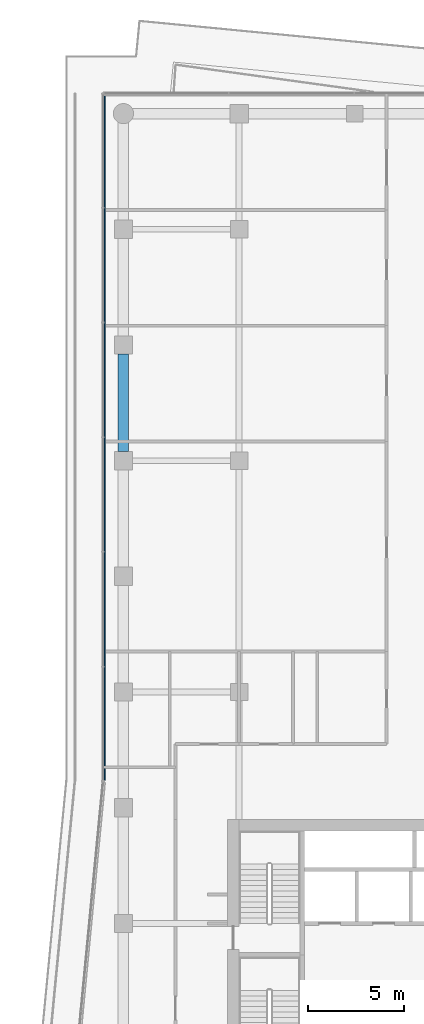
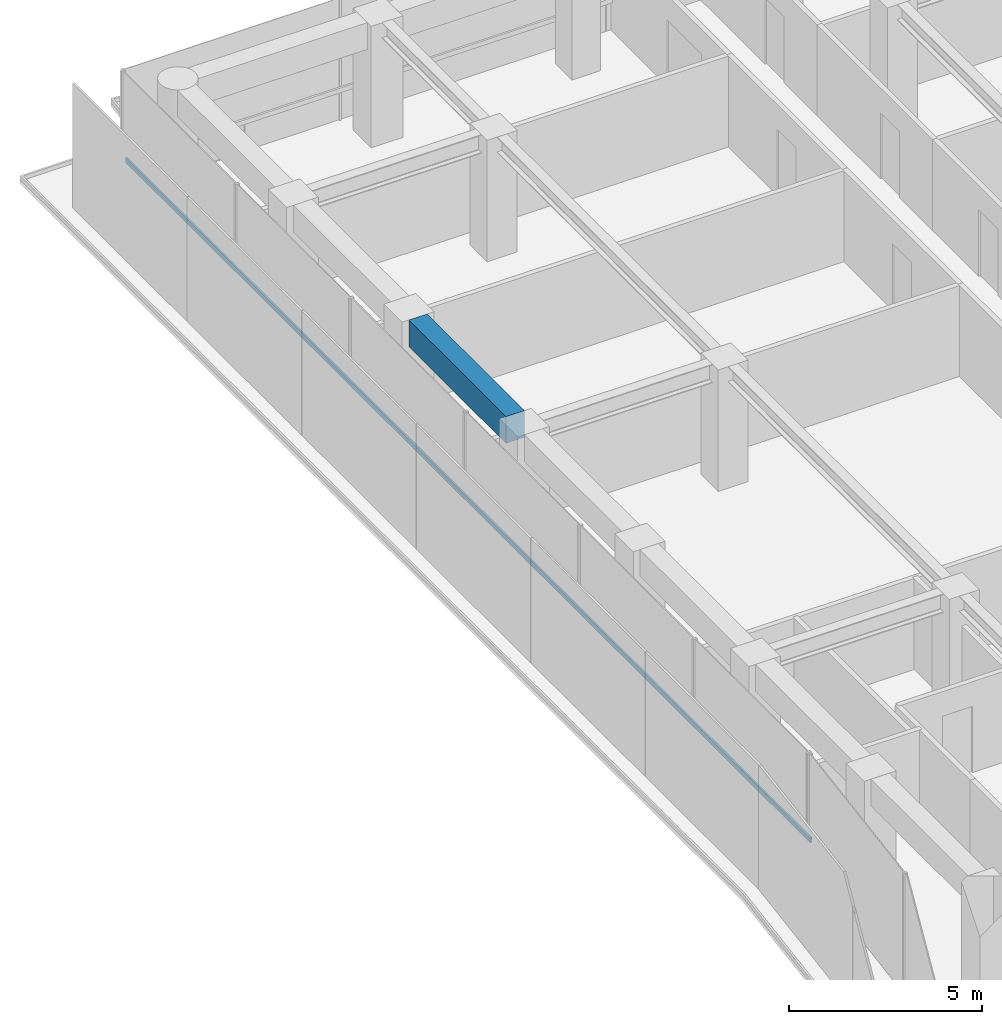
# One storey, part 11 of 23: 1 beam, 1 member, 1 element without a shape of its own.
"""IFC4 building model written with IfcOpenShell, lengths in metres."""

import ifcopenshell
import ifcopenshell.guid

model = None  # the IFC model being written
_history = None  # IfcOwnerHistory: only IFC2X3 demands one
_inside = {}  # id of a spatial element -> (the spatial element, [elements in it])
_under = {}  # id of a project, library or spatial element -> (it, [spatial elements below it])
_declared = {}  # id of a project -> (the project, [libraries it declares])
_typed = {}  # id of a type object -> (the type object, [elements of that type])
_made_of = {}  # id of a material, layer set ... -> (it, [elements and type objects made of it])


def new_model(schema):
    """Start an empty IFC model of exactly this schema.

    Asked for "IFC4X3", IfcOpenShell would pick the latest addendum, in which some entities
    have other attributes; the version numbers below select the first issue.
    IFC2X3 requires an IfcOwnerHistory on every rooted entity: one is made here for all.
    """
    global model, _history
    if schema == "IFC4X3":
        model = ifcopenshell.file(schema_version=(4, 3, 0, 0))
    else:
        model = ifcopenshell.file(schema=schema)
    _inside.clear()
    _under.clear()
    _declared.clear()
    _typed.clear()
    _made_of.clear()
    _history = None
    if model.schema == "IFC2X3":
        org = make("IfcOrganization", Name="unknown")
        user = make(
            "IfcPersonAndOrganization",
            ThePerson=make("IfcPerson", FamilyName="unknown"),
            TheOrganization=org,
        )
        app = make(
            "IfcApplication",
            ApplicationDeveloper=org,
            Version="unknown",
            ApplicationFullName="unknown",
            ApplicationIdentifier="unknown",
        )
        _history = make(
            "IfcOwnerHistory",
            OwningUser=user,
            OwningApplication=app,
            ChangeAction="ADDED",
            CreationDate=0,
        )
    return model


def make(cls, **values):
    """One entity of the class cls with the attributes given. An attribute that is None is left unset."""
    return model.create_entity(
        cls, **{name: value for name, value in values.items() if value is not None}
    )


def rooted(cls, **values):
    """An entity with a GlobalId (a new one), such as an element, a storey or a relation."""
    return make(cls, GlobalId=ifcopenshell.guid.new(), OwnerHistory=_history, **values)


def si_unit(unit_type, name, prefix=None):
    """IfcSIUnit, for example si_unit("LENGTHUNIT", "METRE", prefix="MILLI")."""
    return make("IfcSIUnit", UnitType=unit_type, Prefix=prefix, Name=name)


def assignment(units):
    """IfcUnitAssignment: the units of a project."""
    return None if units is None else make("IfcUnitAssignment", Units=units)


def point(xyz):
    """IfcCartesianPoint."""
    return None if xyz is None else make("IfcCartesianPoint", Coordinates=xyz)


def direction(xyz):
    """IfcDirection."""
    return None if xyz is None else make("IfcDirection", DirectionRatios=xyz)


def frame(location, z_axis=None, x_axis=None):
    """IfcAxis2Placement3D, a coordinate frame: its origin and axes. An axis left out is left unset."""
    return make(
        "IfcAxis2Placement3D",
        Location=point(location),
        Axis=direction(z_axis),
        RefDirection=direction(x_axis),
    )


def frame_2d(location, x_axis=None):
    """IfcAxis2Placement2D, a coordinate frame in the plane: its origin and x axis."""
    return make(
        "IfcAxis2Placement2D", Location=point(location), RefDirection=direction(x_axis)
    )


def origin():
    """The frame at (0, 0, 0) with its axes left unset."""
    return frame((0.0, 0.0, 0.0))


def origin_2d():
    """The frame at (0, 0) in the plane with its x axis left unset."""
    return frame_2d((0.0, 0.0))


def place(relative_to, where):
    """IfcLocalPlacement: puts the frame where relative to a parent placement (None: the world)."""
    return make(
        "IfcLocalPlacement", PlacementRelTo=relative_to, RelativePlacement=where
    )


def context(
    kind, dimensions, precision=None, world=None, true_north=None, identifier=None
):
    """IfcGeometricRepresentationContext, for example the 3D "Model" context."""
    return make(
        "IfcGeometricRepresentationContext",
        ContextIdentifier=identifier,
        ContextType=kind,
        CoordinateSpaceDimension=dimensions,
        Precision=precision,
        WorldCoordinateSystem=world,
        TrueNorth=true_north,
    )


def subcontext(parent, identifier, kind, view, scale=None):
    """IfcGeometricRepresentationSubContext, for example "Body" below "Model"."""
    return make(
        "IfcGeometricRepresentationSubContext",
        ContextIdentifier=identifier,
        ContextType=kind,
        ParentContext=parent,
        TargetScale=scale,
        TargetView=view,
    )


def project(units=None, contexts=None):
    """IfcProject with its units and contexts."""
    return rooted(
        "IfcProject",
        Name="project",
        RepresentationContexts=contexts,
        UnitsInContext=assignment(units),
    )


def spatial(cls, under=None, at=None, **own):
    """A site, building, storey or space (cls), placed at a placement, below another one or the project."""
    s = rooted(cls, ObjectPlacement=at, **own)
    if under is not None:
        _under.setdefault(under.id(), (under, []))[1].append(s)
    return s


def profile(cls, at=None, kind="AREA", **sizes):
    """A parametric profile (cls). Its sizes go by their IFC names, for example OverallWidth=200.0."""
    return make(cls, ProfileType=kind, Position=at, **sizes)


def rectangle(**sizes):
    """IfcRectangleProfileDef."""
    return profile("IfcRectangleProfileDef", **sizes)


def extrude(swept, where, along, depth):
    """IfcExtrudedAreaSolid: the profile swept, set in the frame where, extruded along a direction by depth."""
    return make(
        "IfcExtrudedAreaSolid",
        SweptArea=swept,
        Position=where,
        ExtrudedDirection=direction(along),
        Depth=depth,
    )


def shape(context_of_items, identifier, shape_type, items):
    """IfcShapeRepresentation: the items that make up one representation, for example the "Body"."""
    return make(
        "IfcShapeRepresentation",
        ContextOfItems=context_of_items,
        RepresentationIdentifier=identifier,
        RepresentationType=shape_type,
        Items=items,
    )


def material(Name=None, Category=None):
    """IfcMaterial."""
    return make("IfcMaterial", Name=Name, Category=Category)


def layer(
    of_material, thickness, ventilated=None, Name=None, Category=None, Priority=None
):
    """IfcMaterialLayer: one layer of a wall or slab, of a material (None: an air gap)."""
    return make(
        "IfcMaterialLayer",
        Material=of_material,
        LayerThickness=thickness,
        IsVentilated=ventilated,
        Name=Name,
        Category=Category,
        Priority=Priority,
    )


def layer_set(layers, Name=None):
    """IfcMaterialLayerSet."""
    return make("IfcMaterialLayerSet", MaterialLayers=layers, LayerSetName=Name)


def material_profile(
    of_material, cross_section, Name=None, Category=None, Priority=None
):
    """IfcMaterialProfile: a cross section and its material."""
    return make(
        "IfcMaterialProfile",
        Name=Name,
        Material=of_material,
        Profile=cross_section,
        Priority=Priority,
        Category=Category,
    )


def profile_set(profiles, Name=None, composite=None):
    """IfcMaterialProfileSet."""
    return make(
        "IfcMaterialProfileSet",
        Name=Name,
        MaterialProfiles=profiles,
        CompositeProfile=composite,
    )


def made_of(thing, what):
    """Note that an element or type object is made of a material, layer set ...; save() writes the relation."""
    if what is not None:
        _made_of.setdefault(what.id(), (what, []))[1].append(thing)
    return thing


def type_object(cls, material=None, **own):
    """A type object (cls), such as IfcWallType, which elements share."""
    return made_of(rooted(cls, **own), material)


def element(
    cls,
    number,
    at=None,
    inside=None,
    cuts=None,
    type_object=None,
    material=None,
    context=None,
    identifier="Body",
    shape_type=None,
    held_by="IfcProductDefinitionShape",
    body=None,
    shapes=None,
    **own,
):
    """One element of the class cls, such as IfcWall. Its Tag is "e" and its number.

    at: its placement. inside: the storey or other place that contains it. cuts: it is an
    opening in that element (IfcRelVoidsElement). A single representation is given by context,
    identifier, shape_type and body (its items); several are given by shapes. held_by: the class
    of the entity that holds the representations. save() writes the other relations.
    """
    e = rooted(cls, Tag="e%d" % number, ObjectPlacement=at, **own)
    if body is not None:
        shapes = [shape(context, identifier, shape_type, body)]
    if shapes is not None:
        e.Representation = make(held_by, Representations=shapes)
    if inside is not None:
        _inside.setdefault(inside.id(), (inside, []))[1].append(e)
    if cuts is not None:
        rooted(
            "IfcRelVoidsElement", RelatingBuildingElement=cuts, RelatedOpeningElement=e
        )
    if type_object is not None:
        _typed.setdefault(type_object.id(), (type_object, []))[1].append(e)
    return made_of(e, material)


def aggregate(whole, parts):
    """IfcRelAggregates: a whole, such as a stair, and the parts it consists of."""
    return rooted("IfcRelAggregates", RelatingObject=whole, RelatedObjects=parts)


def save(model, path):
    """Write the relations noted so far, then the file.

    IfcRelAggregates (storeys below a building ...), IfcRelContainedInSpatialStructure (elements
    in a storey), IfcRelDefinesByType, IfcRelAssociatesMaterial and IfcRelDeclares: one each for
    every whole, place, type object, material and project.
    """
    for whole, parts in _under.values():
        aggregate(whole, parts)
    for where, things in _inside.values():
        rooted(
            "IfcRelContainedInSpatialStructure",
            RelatedElements=things,
            RelatingStructure=where,
        )
    for kind, things in _typed.values():
        rooted("IfcRelDefinesByType", RelatedObjects=things, RelatingType=kind)
    for what, things in _made_of.values():
        rooted("IfcRelAssociatesMaterial", RelatedObjects=things, RelatingMaterial=what)
    for by, libraries in _declared.values():
        rooted("IfcRelDeclares", RelatingContext=by, RelatedDefinitions=libraries)
    model.write(path)


model = new_model("IFC4")

# Units and contexts
model_context = context("Model", 3, precision=1e-05, world=origin(), true_north=direction((0.0, 1.0)))
body_context = subcontext(model_context, "Body", "Model", "MODEL_VIEW")
ifc_project = project(units=[si_unit("LENGTHUNIT", "METRE"), si_unit("AREAUNIT", "SQUARE_METRE"), si_unit("VOLUMEUNIT", "CUBIC_METRE"), si_unit("PLANEANGLEUNIT", "RADIAN"), si_unit("MASSUNIT", "GRAM", prefix="KILO")], contexts=[model_context])

# Site, building, storey
site_placement = place(None, origin())
site = spatial("IfcSite", under=ifc_project, at=site_placement, CompositionType="ELEMENT")
building_placement = place(site_placement, origin())
building = spatial("IfcBuilding", under=site, at=building_placement, Name="Welwitschia Terrace Campus", CompositionType="ELEMENT")
storey_placement = place(building_placement, frame((0.0, 0.0, 146.60009765625)))
storey = spatial("IfcBuildingStorey", under=building, at=storey_placement, Name="L32", CompositionType="ELEMENT", Elevation=146.60009765625)

# Beam
ifc_material_1 = material(Name="Concrete C50/60", Category="concrete")
ifc_material_profile_1 = material_profile(ifc_material_1, rectangle(XDim=0.550048828125, YDim=0.85009765625, at=origin_2d()))
ifc_profile_set_1 = profile_set([ifc_material_profile_1], Name="Concrete C50/60")
beam_type = type_object("IfcBeamType", Name="Ring spandrel 550x850", PredefinedType="SPANDREL", material=ifc_profile_set_1)
beam_placement = place(storey_placement, frame((0.0, 49.5244140625, 3.4248046875), z_axis=(0.0, -1.0, 0.0), x_axis=(1.0, 0.0, 0.0)))
element("IfcBeam", 1, at=beam_placement, inside=storey, type_object=beam_type, Name="Spandrel SP3", PredefinedType="SPANDREL", context=body_context, shape_type="SweptSolid", body=[
    extrude(rectangle(XDim=0.550048828125, YDim=0.85009765625, at=origin_2d()), origin(), (0.0, 0.0, 1.0), 5.048828125),
])

# Curtain wall, member
ifc_material_2 = material(Name="Bronze anodised aluminium", Category="aluminium")
ifc_layer = layer(ifc_material_2, 0.1201171875)
ifc_layer_set = layer_set([ifc_layer], Name="Bronze anodised aluminium")
curtain_wall_type = type_object("IfcCurtainWallType", Name="Curtain wall CW2 tower 6000", PredefinedType="NOTDEFINED", material=ifc_layer_set)
curtain_wall_placement = place(storey_placement, origin())
curtain_wall = element("IfcCurtainWall", 2, at=curtain_wall_placement, inside=storey, type_object=curtain_wall_type, Name="CW L32.0.0", PredefinedType="NOTDEFINED")
ifc_material_3 = material(Name="Bronze anodised aluminium", Category="aluminium")
ifc_material_profile_2 = material_profile(ifc_material_3, rectangle(XDim=0.06005859375, YDim=0.14990234375, at=origin_2d()))
ifc_profile_set_2 = profile_set([ifc_material_profile_2], Name="Bronze anodised aluminium")
member_type = type_object("IfcMemberType", Name="Transom 60x150", PredefinedType="USERDEFINED", material=ifc_profile_set_2)
member_placement = place(storey_placement, frame((-0.968017578125, 62.998046875, 1.0), z_axis=(0.0, -1.0, 0.0), x_axis=(1.0, 0.0, 0.0)))
member = element("IfcMember", 3, at=member_placement, type_object=member_type, Name="Transom L32.0.0", ObjectType="TRANSOM", PredefinedType="USERDEFINED", context=body_context, shape_type="SweptSolid", body=[
    extrude(rectangle(XDim=0.06005859375, YDim=0.14990234375, at=origin_2d()), origin(), (0.0, 0.0, 1.0), 35.563232421875),
])
aggregate(curtain_wall, [member])

save(model, "model.ifc")
